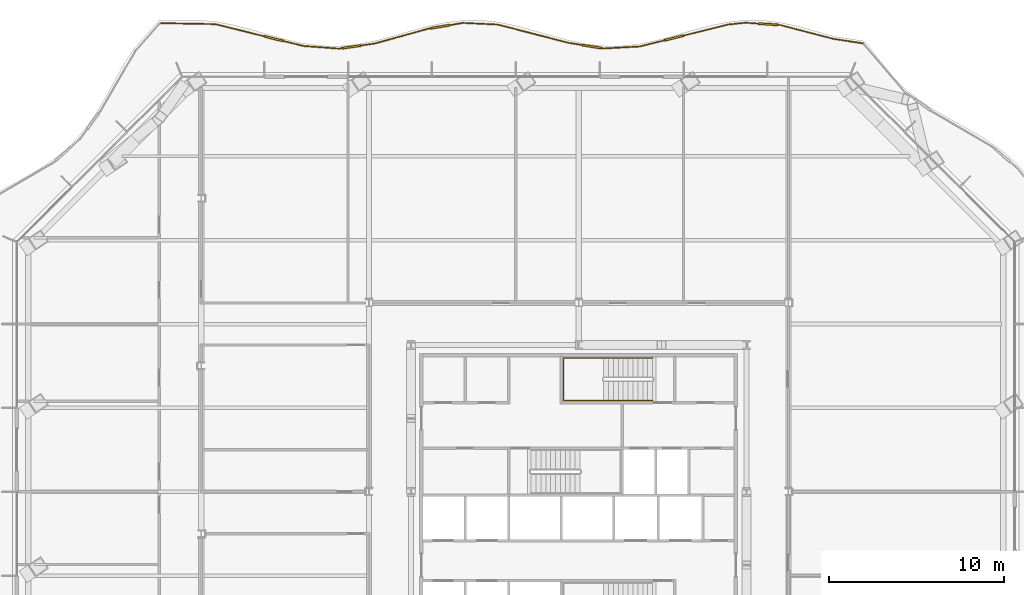
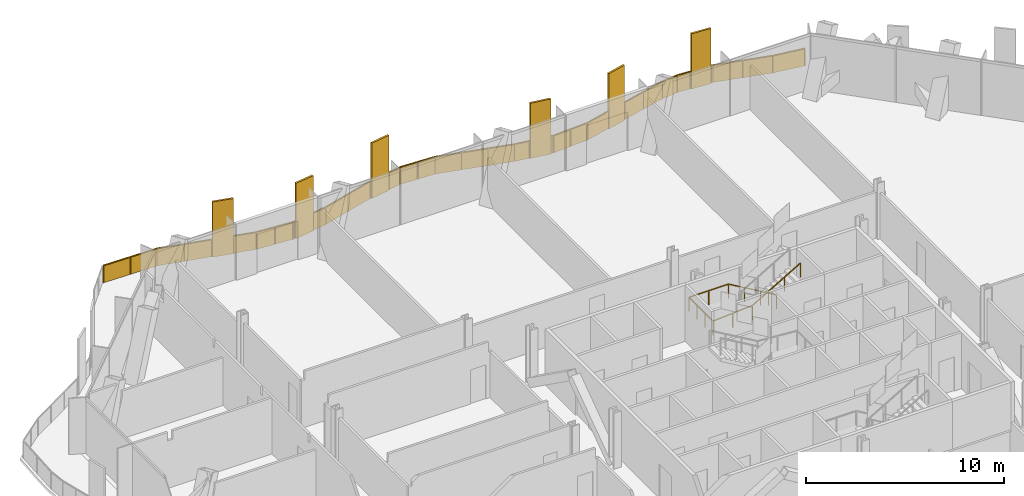
# One storey, part 19 of 20: 2 railings.
"""IFC4 building model written with IfcOpenShell, lengths in metres."""

from ifc_helpers import new_model, si_unit, direction, frame, origin, origin_2d, place, context, subcontext, project, spatial, polyline, rectangle, outline, extrude, material, type_object, element, save


model = new_model("IFC4")

# Units and contexts
model_context = context("Model", 3, precision=1e-05, world=origin(), true_north=direction((0.0, 1.0)))
body_context = subcontext(model_context, "Body", "Model", "MODEL_VIEW")
ifc_project = project(units=[si_unit("LENGTHUNIT", "METRE"), si_unit("AREAUNIT", "SQUARE_METRE"), si_unit("VOLUMEUNIT", "CUBIC_METRE"), si_unit("PLANEANGLEUNIT", "RADIAN"), si_unit("MASSUNIT", "GRAM", prefix="KILO")], contexts=[model_context])

# Site, building, storey
site_placement = place(None, origin())
site = spatial("IfcSite", under=ifc_project, at=site_placement, CompositionType="ELEMENT")
building_placement = place(site_placement, origin())
building = spatial("IfcBuilding", under=site, at=building_placement, Name="Cairn Pilgrim Tower", CompositionType="ELEMENT")
storey_placement = place(building_placement, frame((0.0, 0.0, 101.39990234375)))
storey = spatial("IfcBuildingStorey", under=building, at=storey_placement, Name="L24", CompositionType="ELEMENT", Elevation=101.39990234375)

# Railings
ifc_material_1 = material(Name="Bronze anodised aluminium rail, posts and fin screens with laminated glass infill", Category="aluminium")
railing_type_1 = type_object("IfcRailingType", Name="BALCONY GUARD WITH FIN SCREENS", PredefinedType="GUARDRAIL", material=ifc_material_1)
railing_1_placement = place(storey_placement, frame((23.46728515625, 28.05810546875, 0.0)))
element("IfcRailing", 1, at=railing_1_placement, inside=storey, type_object=railing_type_1, Name="Balcony guard BGF-5 with fin screens", PredefinedType="GUARDRAIL", context=body_context, shape_type="SweptSolid", body=[
    extrude(rectangle(XDim=0.050048828125, YDim=0.050048828125, at=origin_2d()), frame((0.0, 0.0, 1.0751953125), z_axis=(-0.988673602471, 0.150081670358, 0.0), x_axis=(-0.150081670358, -0.988673602471, 0.0)), (0.0, 0.0, 1.0), 1.7275390625),
    extrude(rectangle(XDim=0.050048828125, YDim=0.050048828125, at=origin_2d()), frame((-1.7080078125, 0.25927734375, 1.0751953125), z_axis=(-0.967573311551, 0.252590353685, 0.0), x_axis=(-0.252590353685, -0.967573311551, 0.0)), (0.0, 0.0, 1.0), 3.126708984375),
    extrude(rectangle(XDim=1.10009765625, YDim=0.110107421875, at=origin_2d()), frame((-5.431884765625, 1.095458984375, 0.0), z_axis=(0.0, 0.0, 1.0), x_axis=(-0.99780618596, 0.066202834226, 0.0)), (0.0, 0.0, 1.0), 3.39990234375),
    extrude(rectangle(XDim=0.050048828125, YDim=0.050048828125, at=origin_2d()), frame((-4.7333984375, 1.049072265625, 1.0751953125), z_axis=(-0.99780618596, 0.066202834226, 0.0), x_axis=(-0.066202834226, -0.99780618596, 0.0)), (0.0, 0.0, 1.0), 0.150146484375),
    extrude(rectangle(XDim=0.050048828125, YDim=0.050048828125, at=origin_2d()), frame((-5.980712890625, 1.1318359375, 1.0751953125), z_axis=(-0.99780618596, 0.066202834226, 0.0), x_axis=(-0.066202834226, -0.99780618596, 0.0)), (0.0, 0.0, 1.0), 0.748779296875),
    extrude(rectangle(XDim=0.050048828125, YDim=0.050048828125, at=origin_2d()), frame((-6.727783203125, 1.181396484375, 1.0751953125), z_axis=(-0.994675287043, -0.103058591808, 0.0), x_axis=(0.103058591808, -0.994675287043, 0.0)), (0.0, 0.0, 1.0), 0.99267578125),
    extrude(rectangle(XDim=1.10009765625, YDim=0.110107421875, at=origin_2d()), frame((-10.81787109375, 0.30810546875, 0.0), z_axis=(0.0, 0.0, 1.0), x_axis=(-0.970486101988, -0.241157056392, 0.0)), (0.0, 0.0, 1.0), 3.39990234375),
    extrude(rectangle(XDim=0.050048828125, YDim=0.050048828125, at=origin_2d()), frame((-7.715087890625, 1.0791015625, 1.0751953125), z_axis=(-0.970486101988, -0.241157056392, 0.0), x_axis=(0.241157056392, -0.970486101988, 0.0)), (0.0, 0.0, 1.0), 2.647216796875),
    extrude(rectangle(XDim=0.050048828125, YDim=0.050048828125, at=origin_2d()), frame((-11.3515625, 0.175537109375, 1.0751953125), z_axis=(-0.970486101988, -0.241157056392, 0.0), x_axis=(0.241157056392, -0.970486101988, 0.0)), (0.0, 0.0, 1.0), 1.46240234375),
    extrude(rectangle(XDim=0.050048828125, YDim=0.050048828125, at=origin_2d()), frame((-12.77099609375, -0.17724609375, 1.0751953125), z_axis=(-0.99837210781, -0.057036254671, 0.0), x_axis=(0.057036254671, -0.99837210781, 0.0)), (0.0, 0.0, 1.0), 2.0546875),
    extrude(rectangle(XDim=1.10009765625, YDim=0.110107421875, at=origin_2d()), frame((-15.513427734375, -0.18359375, 0.0), z_axis=(0.0, 0.0, 1.0), x_axis=(-0.987379480375, 0.158372225265, 0.0)), (0.0, 0.0, 1.0), 3.39990234375),
    extrude(rectangle(XDim=0.050048828125, YDim=0.050048828125, at=origin_2d()), frame((-14.822265625, -0.29443359375, 1.0751953125), z_axis=(-0.987379480375, 0.158372225265, 0.0), x_axis=(-0.158372225265, -0.987379480375, 0.0)), (0.0, 0.0, 1.0), 0.14990234375),
    extrude(rectangle(XDim=0.050048828125, YDim=0.050048828125, at=origin_2d()), frame((-16.056396484375, -0.096435546875, 1.0751953125), z_axis=(-0.987379480375, 0.158372225265, 0.0), x_axis=(-0.158372225265, -0.987379480375, 0.0)), (0.0, 0.0, 1.0), 0.8203125),
    extrude(rectangle(XDim=0.050048828125, YDim=0.050048828125, at=origin_2d()), frame((-16.866455078125, 0.033447265625, 1.0751953125), z_axis=(-0.968149605348, 0.250372405958, 0.0), x_axis=(-0.250372405958, -0.968149605348, 0.0)), (0.0, 0.0, 1.0), 4.166748046875),
    extrude(rectangle(XDim=0.050048828125, YDim=0.050048828125, at=origin_2d()), frame((-20.900390625, 1.07666015625, 1.0751953125), z_axis=(-0.99886258456, 0.047681622947, 0.0), x_axis=(-0.047681622947, -0.99886258456, 0.0)), (0.0, 0.0, 1.0), 1.99169921875),
    extrude(rectangle(XDim=1.10009765625, YDim=0.110107421875, at=origin_2d()), frame((-24.197021484375, 0.951904296875, 0.0), z_axis=(0.0, 0.0, 1.0), x_axis=(-0.986151809504, -0.165845134426, 0.0)), (0.0, 0.0, 1.0), 3.39990234375),
    extrude(rectangle(XDim=0.050048828125, YDim=0.050048828125, at=origin_2d()), frame((-22.889892578125, 1.171630859375, 1.0751953125), z_axis=(-0.986151809504, -0.165845134426, 0.0), x_axis=(0.165845134426, -0.986151809504, 0.0)), (0.0, 0.0, 1.0), 0.775390625),
    extrude(rectangle(XDim=0.050048828125, YDim=0.050048828125, at=origin_2d()), frame((-24.7392578125, 0.860595703125, 1.0751953125), z_axis=(-0.986151809504, -0.165845134426, 0.0), x_axis=(0.165845134426, -0.986151809504, 0.0)), (0.0, 0.0, 1.0), 0.150146484375),
    extrude(rectangle(XDim=0.050048828125, YDim=0.050048828125, at=origin_2d()), frame((-24.887451171875, 0.835693359375, 1.0751953125), z_axis=(-0.963679976665, -0.267059735967, 0.0), x_axis=(0.267059735967, -0.963679976665, 0.0)), (0.0, 0.0, 1.0), 3.1474609375),
    extrude(rectangle(XDim=1.10009765625, YDim=0.110107421875, at=origin_2d()), frame((-29.2744140625, -0.20166015625, 0.0), z_axis=(0.0, 0.0, 1.0), x_axis=(-0.989609050988, -0.143784304438, 0.0)), (0.0, 0.0, 1.0), 3.39990234375),
    extrude(rectangle(XDim=0.050048828125, YDim=0.050048828125, at=origin_2d()), frame((-27.920654296875, -0.0048828125, 1.0751953125), z_axis=(-0.989609050988, -0.143784304438, 0.0), x_axis=(0.143784304438, -0.989609050988, 0.0)), (0.0, 0.0, 1.0), 0.81787109375),
    extrude(rectangle(XDim=0.050048828125, YDim=0.050048828125, at=origin_2d()), frame((-29.818603515625, -0.28076171875, 1.0751953125), z_axis=(-0.989609050988, -0.143784304438, 0.0), x_axis=(0.143784304438, -0.989609050988, 0.0)), (0.0, 0.0, 1.0), 0.150146484375),
    extrude(rectangle(XDim=0.050048828125, YDim=0.050048828125, at=origin_2d()), frame((-29.96728515625, -0.30224609375, 1.0751953125), z_axis=(-0.997232646248, 0.074344127254, 0.0), x_axis=(-0.074344127254, -0.997232646248, 0.0)), (0.0, 0.0, 1.0), 2.0556640625),
    extrude(rectangle(XDim=1.10009765625, YDim=0.110107421875, at=origin_2d()), frame((-33.7265625, 0.27392578125, 0.0), z_axis=(0.0, 0.0, 1.0), x_axis=(-0.970667588776, 0.24042552298, 0.0)), (0.0, 0.0, 1.0), 3.39990234375),
    extrude(rectangle(XDim=0.050048828125, YDim=0.050048828125, at=origin_2d()), frame((-32.017333984375, -0.1494140625, 1.0751953125), z_axis=(-0.970667588776, 0.24042552298, 0.0), x_axis=(-0.24042552298, -0.970667588776, 0.0)), (0.0, 0.0, 1.0), 1.2109375),
    extrude(rectangle(XDim=0.050048828125, YDim=0.050048828125, at=origin_2d()), frame((-34.260498046875, 0.40625, 1.0751953125), z_axis=(-0.970667588776, 0.24042552298, 0.0), x_axis=(-0.24042552298, -0.970667588776, 0.0)), (0.0, 0.0, 1.0), 2.890380859375),
    extrude(rectangle(XDim=0.050048828125, YDim=0.050048828125, at=origin_2d()), frame((-37.06591796875, 1.10107421875, 1.0751953125), z_axis=(-0.999837829857, 0.018008719761, 0.0), x_axis=(-0.018008719761, -0.999837829857, 0.0)), (0.0, 0.0, 1.0), 3.1044921875),
    extrude(rectangle(XDim=0.050048828125, YDim=0.050048828125, at=origin_2d()), origin(), (0.0, 0.0, 1.0), 1.050048828125),
    extrude(rectangle(XDim=0.050048828125, YDim=0.050048828125, at=origin_2d()), frame((-1.7080078125, 0.25927734375, 0.0)), (0.0, 0.0, 1.0), 1.050048828125),
    extrude(rectangle(XDim=0.050048828125, YDim=0.050048828125, at=origin_2d()), frame((-3.220703125, 0.654296875, 0.0)), (0.0, 0.0, 1.0), 1.050048828125),
    extrude(rectangle(XDim=0.050048828125, YDim=0.050048828125, at=origin_2d()), frame((-4.7333984375, 1.049072265625, 0.0)), (0.0, 0.0, 1.0), 1.050048828125),
    extrude(rectangle(XDim=0.050048828125, YDim=0.050048828125, at=origin_2d()), frame((-4.858154296875, 1.057373046875, 0.0)), (0.0, 0.0, 1.0), 1.050048828125),
    extrude(rectangle(XDim=0.050048828125, YDim=0.050048828125, at=origin_2d()), frame((-6.005615234375, 1.133544921875, 0.0)), (0.0, 0.0, 1.0), 1.050048828125),
    extrude(rectangle(XDim=0.050048828125, YDim=0.050048828125, at=origin_2d()), frame((-6.727783203125, 1.181396484375, 0.0)), (0.0, 0.0, 1.0), 1.050048828125),
    extrude(rectangle(XDim=0.050048828125, YDim=0.050048828125, at=origin_2d()), frame((-7.715087890625, 1.0791015625, 0.0)), (0.0, 0.0, 1.0), 1.050048828125),
    extrude(rectangle(XDim=0.050048828125, YDim=0.050048828125, at=origin_2d()), frame((-8.987548828125, 0.762939453125, 0.0)), (0.0, 0.0, 1.0), 1.050048828125),
    extrude(rectangle(XDim=0.050048828125, YDim=0.050048828125, at=origin_2d()), frame((-10.259765625, 0.44677734375, 0.0)), (0.0, 0.0, 1.0), 1.050048828125),
    extrude(rectangle(XDim=0.050048828125, YDim=0.050048828125, at=origin_2d()), frame((-11.3759765625, 0.16943359375, 0.0)), (0.0, 0.0, 1.0), 1.050048828125),
    extrude(rectangle(XDim=0.050048828125, YDim=0.050048828125, at=origin_2d()), frame((-12.77099609375, -0.17724609375, 0.0)), (0.0, 0.0, 1.0), 1.050048828125),
    extrude(rectangle(XDim=0.050048828125, YDim=0.050048828125, at=origin_2d()), frame((-13.796630859375, -0.23583984375, 0.0)), (0.0, 0.0, 1.0), 1.050048828125),
    extrude(rectangle(XDim=0.050048828125, YDim=0.050048828125, at=origin_2d()), frame((-14.822265625, -0.29443359375, 0.0)), (0.0, 0.0, 1.0), 1.050048828125),
    extrude(rectangle(XDim=0.050048828125, YDim=0.050048828125, at=origin_2d()), frame((-14.945556640625, -0.274658203125, 0.0)), (0.0, 0.0, 1.0), 1.050048828125),
    extrude(rectangle(XDim=0.050048828125, YDim=0.050048828125, at=origin_2d()), frame((-16.081298828125, -0.092529296875, 0.0)), (0.0, 0.0, 1.0), 1.050048828125),
    extrude(rectangle(XDim=0.050048828125, YDim=0.050048828125, at=origin_2d()), frame((-16.866455078125, 0.033447265625, 0.0)), (0.0, 0.0, 1.0), 1.050048828125),
    extrude(rectangle(XDim=0.050048828125, YDim=0.050048828125, at=origin_2d()), frame((-18.211181640625, 0.381103515625, 0.0)), (0.0, 0.0, 1.0), 1.050048828125),
    extrude(rectangle(XDim=0.050048828125, YDim=0.050048828125, at=origin_2d()), frame((-19.5556640625, 0.72900390625, 0.0)), (0.0, 0.0, 1.0), 1.050048828125),
    extrude(rectangle(XDim=0.050048828125, YDim=0.050048828125, at=origin_2d()), frame((-20.900390625, 1.07666015625, 0.0)), (0.0, 0.0, 1.0), 1.050048828125),
    extrude(rectangle(XDim=0.050048828125, YDim=0.050048828125, at=origin_2d()), frame((-21.89501953125, 1.1240234375, 0.0)), (0.0, 0.0, 1.0), 1.050048828125),
    extrude(rectangle(XDim=0.050048828125, YDim=0.050048828125, at=origin_2d()), frame((-22.889892578125, 1.171630859375, 0.0)), (0.0, 0.0, 1.0), 1.050048828125),
    extrude(rectangle(XDim=0.050048828125, YDim=0.050048828125, at=origin_2d()), frame((-23.6298828125, 1.047119140625, 0.0)), (0.0, 0.0, 1.0), 1.050048828125),
    extrude(rectangle(XDim=0.050048828125, YDim=0.050048828125, at=origin_2d()), frame((-24.763916015625, 0.8564453125, 0.0)), (0.0, 0.0, 1.0), 1.050048828125),
    extrude(rectangle(XDim=0.050048828125, YDim=0.050048828125, at=origin_2d()), frame((-24.887451171875, 0.835693359375, 0.0)), (0.0, 0.0, 1.0), 1.050048828125),
    extrude(rectangle(XDim=0.050048828125, YDim=0.050048828125, at=origin_2d()), frame((-26.404052734375, 0.41552734375, 0.0)), (0.0, 0.0, 1.0), 1.050048828125),
    extrude(rectangle(XDim=0.050048828125, YDim=0.050048828125, at=origin_2d()), frame((-27.920654296875, -0.0048828125, 0.0)), (0.0, 0.0, 1.0), 1.050048828125),
    extrude(rectangle(XDim=0.050048828125, YDim=0.050048828125, at=origin_2d()), frame((-28.705322265625, -0.118896484375, 0.0)), (0.0, 0.0, 1.0), 1.050048828125),
    extrude(rectangle(XDim=0.050048828125, YDim=0.050048828125, at=origin_2d()), frame((-29.843505859375, -0.2841796875, 0.0)), (0.0, 0.0, 1.0), 1.050048828125),
    extrude(rectangle(XDim=0.050048828125, YDim=0.050048828125, at=origin_2d()), frame((-29.96728515625, -0.30224609375, 0.0)), (0.0, 0.0, 1.0), 1.050048828125),
    extrude(rectangle(XDim=0.050048828125, YDim=0.050048828125, at=origin_2d()), frame((-30.9921875, -0.225830078125, 0.0)), (0.0, 0.0, 1.0), 1.050048828125),
    extrude(rectangle(XDim=0.050048828125, YDim=0.050048828125, at=origin_2d()), frame((-32.017333984375, -0.1494140625, 0.0)), (0.0, 0.0, 1.0), 1.050048828125),
    extrude(rectangle(XDim=0.050048828125, YDim=0.050048828125, at=origin_2d()), frame((-33.16845703125, 0.1357421875, 0.0)), (0.0, 0.0, 1.0), 1.050048828125),
    extrude(rectangle(XDim=0.050048828125, YDim=0.050048828125, at=origin_2d()), frame((-34.28466796875, 0.412109375, 0.0)), (0.0, 0.0, 1.0), 1.050048828125),
    extrude(rectangle(XDim=0.050048828125, YDim=0.050048828125, at=origin_2d()), frame((-35.67529296875, 0.756591796875, 0.0)), (0.0, 0.0, 1.0), 1.050048828125),
    extrude(rectangle(XDim=0.050048828125, YDim=0.050048828125, at=origin_2d()), frame((-37.06591796875, 1.10107421875, 0.0)), (0.0, 0.0, 1.0), 1.050048828125),
    extrude(rectangle(XDim=0.050048828125, YDim=0.050048828125, at=origin_2d()), frame((-38.617919921875, 1.12890625, 0.0)), (0.0, 0.0, 1.0), 1.050048828125),
    extrude(rectangle(XDim=0.050048828125, YDim=0.050048828125, at=origin_2d()), frame((-40.169921875, 1.156982421875, 0.0)), (0.0, 0.0, 1.0), 1.050048828125),
    extrude(outline(polyline([(0.02490234375, 0.0), (1.70263671875, 0.0), (1.70263671875, 1.050048828125), (0.02490234375, 1.050048828125), (0.02490234375, 0.0)])), frame((-0.0009765625, -0.005859375, 0.0), z_axis=(0.150081670358, 0.988673602471, 0.0), x_axis=(-0.988673602471, 0.150081670358, 0.0)), (0.0, 0.0, 1.0), 0.011962890625),
    extrude(outline(polyline([(0.02490234375, 0.0), (1.538330078125, 0.0), (1.538330078125, 1.050048828125), (0.02490234375, 1.050048828125), (0.02490234375, 0.0)])), frame((-1.70947265625, 0.25341796875, 0.0), z_axis=(0.252590353685, 0.967573311551, 0.0), x_axis=(-0.967573311551, 0.252590353685, 0.0)), (0.0, 0.0, 1.0), 0.011962890625),
    extrude(outline(polyline([(0.02490234375, 0.0), (1.538330078125, 0.0), (1.538330078125, 1.050048828125), (0.02490234375, 1.050048828125), (0.02490234375, 0.0)])), frame((-3.22216796875, 0.6484375, 0.0), z_axis=(0.252590353685, 0.967573311551, 0.0), x_axis=(-0.967573311551, 0.252590353685, 0.0)), (0.0, 0.0, 1.0), 0.011962890625),
    extrude(outline(polyline([(0.02490234375, 0.0), (0.10009765625, 0.0), (0.10009765625, 1.050048828125), (0.02490234375, 1.050048828125), (0.02490234375, 0.0)])), frame((-4.73388671875, 1.043212890625, 0.0), z_axis=(0.066202834226, 0.99780618596, 0.0), x_axis=(-0.99780618596, 0.066202834226, 0.0)), (0.0, 0.0, 1.0), 0.011962890625),
    extrude(outline(polyline([(0.02490234375, 0.0), (0.69873046875, 0.0), (0.69873046875, 1.050048828125), (0.02490234375, 1.050048828125), (0.02490234375, 0.0)])), frame((-6.006103515625, 1.12744140625, 0.0), z_axis=(0.066202834226, 0.99780618596, 0.0), x_axis=(-0.99780618596, 0.066202834226, 0.0)), (0.0, 0.0, 1.0), 0.011962890625),
    extrude(outline(polyline([(0.02490234375, 0.0), (0.967529296875, 0.0), (0.967529296875, 1.050048828125), (0.02490234375, 1.050048828125), (0.02490234375, 0.0)])), frame((-6.72705078125, 1.175537109375, 0.0), z_axis=(-0.103058591808, 0.994675287043, 0.0), x_axis=(-0.994675287043, -0.103058591808, 0.0)), (0.0, 0.0, 1.0), 0.011962890625),
    extrude(outline(polyline([(0.02490234375, 0.0), (1.2861328125, 0.0), (1.2861328125, 1.050048828125), (0.02490234375, 1.050048828125), (0.02490234375, 0.0)])), frame((-7.713623046875, 1.0732421875, 0.0), z_axis=(-0.241157056392, 0.970486101988, 0.0), x_axis=(-0.970486101988, -0.241157056392, 0.0)), (0.0, 0.0, 1.0), 0.011962890625),
    extrude(outline(polyline([(0.02490234375, 0.0), (1.2861328125, 0.0), (1.2861328125, 1.050048828125), (0.02490234375, 1.050048828125), (0.02490234375, 0.0)])), frame((-8.986083984375, 0.757080078125, 0.0), z_axis=(-0.241157056392, 0.970486101988, 0.0), x_axis=(-0.970486101988, -0.241157056392, 0.0)), (0.0, 0.0, 1.0), 0.011962890625),
    extrude(outline(polyline([(0.02490234375, 0.0), (1.412353515625, 0.0), (1.412353515625, 1.050048828125), (0.02490234375, 1.050048828125), (0.02490234375, 0.0)])), frame((-11.37451171875, 0.16357421875, 0.0), z_axis=(-0.241157056392, 0.970486101988, 0.0), x_axis=(-0.970486101988, -0.241157056392, 0.0)), (0.0, 0.0, 1.0), 0.011962890625),
    extrude(outline(polyline([(0.02490234375, 0.0), (1.002197265625, 0.0), (1.002197265625, 1.050048828125), (0.02490234375, 1.050048828125), (0.02490234375, 0.0)])), frame((-12.770751953125, -0.18310546875, 0.0), z_axis=(-0.057036254671, 0.99837210781, 0.0), x_axis=(-0.99837210781, -0.057036254671, 0.0)), (0.0, 0.0, 1.0), 0.011962890625),
    extrude(outline(polyline([(0.02490234375, 0.0), (1.002197265625, 0.0), (1.002197265625, 1.050048828125), (0.02490234375, 1.050048828125), (0.02490234375, 0.0)])), frame((-13.79638671875, -0.24169921875, 0.0), z_axis=(-0.057036254671, 0.99837210781, 0.0), x_axis=(-0.99837210781, -0.057036254671, 0.0)), (0.0, 0.0, 1.0), 0.011962890625),
    extrude(outline(polyline([(0.02490234375, 0.0), (0.099853515625, 0.0), (0.099853515625, 1.050048828125), (0.02490234375, 1.050048828125), (0.02490234375, 0.0)])), frame((-14.8232421875, -0.30029296875, 0.0), z_axis=(0.158372225265, 0.987379480375, 0.0), x_axis=(-0.987379480375, 0.158372225265, 0.0)), (0.0, 0.0, 1.0), 0.011962890625),
    extrude(outline(polyline([(0.02490234375, 0.0), (0.770263671875, 0.0), (0.770263671875, 1.050048828125), (0.02490234375, 1.050048828125), (0.02490234375, 0.0)])), frame((-16.08203125, -0.098388671875, 0.0), z_axis=(0.158372225265, 0.987379480375, 0.0), x_axis=(-0.987379480375, 0.158372225265, 0.0)), (0.0, 0.0, 1.0), 0.011962890625),
    extrude(outline(polyline([(0.02490234375, 0.0), (1.36376953125, 0.0), (1.36376953125, 1.050048828125), (0.02490234375, 1.050048828125), (0.02490234375, 0.0)])), frame((-16.867919921875, 0.027587890625, 0.0), z_axis=(0.250372405958, 0.968149605348, 0.0), x_axis=(-0.968149605348, 0.250372405958, 0.0)), (0.0, 0.0, 1.0), 0.011962890625),
    extrude(outline(polyline([(0.02490234375, 0.0), (1.36376953125, 0.0), (1.36376953125, 1.050048828125), (0.02490234375, 1.050048828125), (0.02490234375, 0.0)])), frame((-18.212646484375, 0.37548828125, 0.0), z_axis=(0.250372405958, 0.968149605348, 0.0), x_axis=(-0.968149605348, 0.250372405958, 0.0)), (0.0, 0.0, 1.0), 0.011962890625),
    extrude(outline(polyline([(0.02490234375, 0.0), (1.36376953125, 0.0), (1.36376953125, 1.050048828125), (0.02490234375, 1.050048828125), (0.02490234375, 0.0)])), frame((-19.55712890625, 0.72314453125, 0.0), z_axis=(0.250372405958, 0.968149605348, 0.0), x_axis=(-0.968149605348, 0.250372405958, 0.0)), (0.0, 0.0, 1.0), 0.011962890625),
    extrude(outline(polyline([(0.02490234375, 0.0), (0.970947265625, 0.0), (0.970947265625, 1.050048828125), (0.02490234375, 1.050048828125), (0.02490234375, 0.0)])), frame((-20.900634765625, 1.07080078125, 0.0), z_axis=(0.047681622947, 0.99886258456, 0.0), x_axis=(-0.99886258456, 0.047681622947, 0.0)), (0.0, 0.0, 1.0), 0.011962890625),
    extrude(outline(polyline([(0.02490234375, 0.0), (0.970947265625, 0.0), (0.970947265625, 1.050048828125), (0.02490234375, 1.050048828125), (0.02490234375, 0.0)])), frame((-21.8955078125, 1.1181640625, 0.0), z_axis=(0.047681622947, 0.99886258456, 0.0), x_axis=(-0.99886258456, 0.047681622947, 0.0)), (0.0, 0.0, 1.0), 0.011962890625),
    extrude(outline(polyline([(0.02490234375, 0.0), (0.725341796875, 0.0), (0.725341796875, 1.050048828125), (0.02490234375, 1.050048828125), (0.02490234375, 0.0)])), frame((-22.888916015625, 1.165771484375, 0.0), z_axis=(-0.165845134426, 0.986151809504, 0.0), x_axis=(-0.986151809504, -0.165845134426, 0.0)), (0.0, 0.0, 1.0), 0.011962890625),
    extrude(outline(polyline([(0.02490234375, 0.0), (0.10009765625, 0.0), (0.10009765625, 1.050048828125), (0.02490234375, 1.050048828125), (0.02490234375, 0.0)])), frame((-24.762939453125, 0.8505859375, 0.0), z_axis=(-0.165845134426, 0.986151809504, 0.0), x_axis=(-0.986151809504, -0.165845134426, 0.0)), (0.0, 0.0, 1.0), 0.011962890625),
    extrude(outline(polyline([(0.02490234375, 0.0), (1.548828125, 0.0), (1.548828125, 1.050048828125), (0.02490234375, 1.050048828125), (0.02490234375, 0.0)])), frame((-24.8857421875, 0.829833984375, 0.0), z_axis=(-0.267059735967, 0.963679976665, 0.0), x_axis=(-0.963679976665, -0.267059735967, 0.0)), (0.0, 0.0, 1.0), 0.011962890625),
    extrude(outline(polyline([(0.02490234375, 0.0), (1.548828125, 0.0), (1.548828125, 1.050048828125), (0.02490234375, 1.050048828125), (0.02490234375, 0.0)])), frame((-26.40234375, 0.40966796875, 0.0), z_axis=(-0.267059735967, 0.963679976665, 0.0), x_axis=(-0.963679976665, -0.267059735967, 0.0)), (0.0, 0.0, 1.0), 0.011962890625),
    extrude(outline(polyline([(0.02490234375, 0.0), (0.767822265625, 0.0), (0.767822265625, 1.050048828125), (0.02490234375, 1.050048828125), (0.02490234375, 0.0)])), frame((-27.919677734375, -0.0107421875, 0.0), z_axis=(-0.143784304438, 0.989609050988, 0.0), x_axis=(-0.989609050988, -0.143784304438, 0.0)), (0.0, 0.0, 1.0), 0.011962890625),
    extrude(outline(polyline([(0.02490234375, 0.0), (0.10009765625, 0.0), (0.10009765625, 1.050048828125), (0.02490234375, 1.050048828125), (0.02490234375, 0.0)])), frame((-29.842529296875, -0.290283203125, 0.0), z_axis=(-0.143784304438, 0.989609050988, 0.0), x_axis=(-0.989609050988, -0.143784304438, 0.0)), (0.0, 0.0, 1.0), 0.011962890625),
    extrude(outline(polyline([(0.02490234375, 0.0), (1.0029296875, 0.0), (1.0029296875, 1.050048828125), (0.02490234375, 1.050048828125), (0.02490234375, 0.0)])), frame((-29.9677734375, -0.30810546875, 0.0), z_axis=(0.074344127254, 0.997232646248, 0.0), x_axis=(-0.997232646248, 0.074344127254, 0.0)), (0.0, 0.0, 1.0), 0.011962890625),
    extrude(outline(polyline([(0.02490234375, 0.0), (1.0029296875, 0.0), (1.0029296875, 1.050048828125), (0.02490234375, 1.050048828125), (0.02490234375, 0.0)])), frame((-30.99267578125, -0.231689453125, 0.0), z_axis=(0.074344127254, 0.997232646248, 0.0), x_axis=(-0.997232646248, 0.074344127254, 0.0)), (0.0, 0.0, 1.0), 0.011962890625),
    extrude(outline(polyline([(0.02490234375, 0.0), (1.160888671875, 0.0), (1.160888671875, 1.050048828125), (0.02490234375, 1.050048828125), (0.02490234375, 0.0)])), frame((-32.018798828125, -0.1552734375, 0.0), z_axis=(0.24042552298, 0.970667588776, 0.0), x_axis=(-0.970667588776, 0.24042552298, 0.0)), (0.0, 0.0, 1.0), 0.011962890625),
    extrude(outline(polyline([(0.02490234375, 0.0), (1.40771484375, 0.0), (1.40771484375, 1.050048828125), (0.02490234375, 1.050048828125), (0.02490234375, 0.0)])), frame((-34.2861328125, 0.406494140625, 0.0), z_axis=(0.24042552298, 0.970667588776, 0.0), x_axis=(-0.970667588776, 0.24042552298, 0.0)), (0.0, 0.0, 1.0), 0.011962890625),
    extrude(outline(polyline([(0.02490234375, 0.0), (1.40771484375, 0.0), (1.40771484375, 1.050048828125), (0.02490234375, 1.050048828125), (0.02490234375, 0.0)])), frame((-35.6767578125, 0.750732421875, 0.0), z_axis=(0.24042552298, 0.970667588776, 0.0), x_axis=(-0.970667588776, 0.24042552298, 0.0)), (0.0, 0.0, 1.0), 0.011962890625),
    extrude(outline(polyline([(0.02490234375, 0.0), (1.52734375, 0.0), (1.52734375, 1.050048828125), (0.02490234375, 1.050048828125), (0.02490234375, 0.0)])), frame((-37.06591796875, 1.09521484375, 0.0), z_axis=(0.018008719761, 0.999837829857, 0.0), x_axis=(-0.999837829857, 0.018008719761, 0.0)), (0.0, 0.0, 1.0), 0.011962890625),
    extrude(outline(polyline([(0.02490234375, 0.0), (1.52734375, 0.0), (1.52734375, 1.050048828125), (0.02490234375, 1.050048828125), (0.02490234375, 0.0)])), frame((-38.617919921875, 1.123046875, 0.0), z_axis=(0.018008719761, 0.999837829857, 0.0), x_axis=(-0.999837829857, 0.018008719761, 0.0)), (0.0, 0.0, 1.0), 0.011962890625),
])
ifc_material_2 = material(Name="Painted steel", Category="steel")
railing_type_2 = type_object("IfcRailingType", Name="STAIR HANDRAIL 900", PredefinedType="HANDRAIL", material=ifc_material_2)
railing_2_placement = place(storey_placement, frame((11.425048828125, 10.050048828125, 0.163818359375)))
element("IfcRailing", 2, at=railing_2_placement, inside=storey, type_object=railing_type_2, Name="L24 ST-C stair handrail 1", PredefinedType="HANDRAIL", context=body_context, shape_type="SweptSolid", body=[
    extrude(rectangle(XDim=0.048095703125, YDim=0.048095703125, at=origin_2d()), frame((0.0, 0.0, 0.8759765625), z_axis=(-0.863393664356, 0.0, 0.504530851732), x_axis=(0.0, -1.0, 0.0)), (0.0, 0.0, 1.0), 3.2431640625),
    extrude(rectangle(XDim=0.048095703125, YDim=0.048095703125, at=origin_2d()), frame((-2.800048828125, 0.0, 2.51220703125), z_axis=(-1.0, 0.0, 0.0), x_axis=(0.0, -1.0, 0.0)), (0.0, 0.0, 1.0), 2.300048828125),
    extrude(rectangle(XDim=0.048095703125, YDim=0.048095703125, at=origin_2d()), frame((-5.10009765625, 0.0, 2.51220703125), z_axis=(0.0, -1.0, 0.0), x_axis=(1.0, 0.0, 0.0)), (0.0, 0.0, 1.0), 2.425048828125),
    extrude(rectangle(XDim=0.048095703125, YDim=0.048095703125, at=origin_2d()), frame((-5.10009765625, -2.425048828125, 2.51220703125), z_axis=(0.997480687736, 0.0, 0.070938548008), x_axis=(0.0, 1.0, 0.0)), (0.0, 0.0, 1.0), 2.305908203125),
    extrude(rectangle(XDim=0.048095703125, YDim=0.048095703125, at=origin_2d()), frame((-2.800048828125, -2.425048828125, 2.67578125), z_axis=(0.863360870873, 0.0, 0.504586966384), x_axis=(0.0, 1.0, 0.0)), (0.0, 0.0, 1.0), 3.2431640625),
    extrude(rectangle(XDim=0.0419921875, YDim=0.0419921875, at=origin_2d()), origin(), (0.0, 0.0, 1.0), 0.851806640625),
    extrude(rectangle(XDim=0.0419921875, YDim=0.0419921875, at=origin_2d()), frame((-0.933349609375, 0.0, 0.54541015625)), (0.0, 0.0, 1.0), 0.851806640625),
    extrude(rectangle(XDim=0.0419921875, YDim=0.0419921875, at=origin_2d()), frame((-1.86669921875, 0.0, 1.0908203125)), (0.0, 0.0, 1.0), 0.851806640625),
    extrude(rectangle(XDim=0.0419921875, YDim=0.0419921875, at=origin_2d()), frame((-2.800048828125, 0.0, 1.63623046875)), (0.0, 0.0, 1.0), 0.851806640625),
    extrude(rectangle(XDim=0.0419921875, YDim=0.0419921875, at=origin_2d()), frame((-3.9501953125, 0.0, 1.63623046875)), (0.0, 0.0, 1.0), 0.851806640625),
    extrude(rectangle(XDim=0.0419921875, YDim=0.0419921875, at=origin_2d()), frame((-5.10009765625, 0.0, 1.63623046875)), (0.0, 0.0, 1.0), 0.851806640625),
    extrude(rectangle(XDim=0.0419921875, YDim=0.0419921875, at=origin_2d()), frame((-5.10009765625, -0.808349609375, 1.63623046875)), (0.0, 0.0, 1.0), 0.851806640625),
    extrude(rectangle(XDim=0.0419921875, YDim=0.0419921875, at=origin_2d()), frame((-5.10009765625, -1.61669921875, 1.63623046875)), (0.0, 0.0, 1.0), 0.851806640625),
    extrude(rectangle(XDim=0.0419921875, YDim=0.0419921875, at=origin_2d()), frame((-5.10009765625, -2.425048828125, 1.63623046875)), (0.0, 0.0, 1.0), 0.851806640625),
    extrude(rectangle(XDim=0.0419921875, YDim=0.0419921875, at=origin_2d()), frame((-3.9501953125, -2.425048828125, 1.718017578125)), (0.0, 0.0, 1.0), 0.851806640625),
    extrude(rectangle(XDim=0.0419921875, YDim=0.0419921875, at=origin_2d()), frame((-2.800048828125, -2.425048828125, 1.7998046875)), (0.0, 0.0, 1.0), 0.851806640625),
    extrude(rectangle(XDim=0.0419921875, YDim=0.0419921875, at=origin_2d()), frame((-1.86669921875, -2.425048828125, 2.34521484375)), (0.0, 0.0, 1.0), 0.851806640625),
    extrude(rectangle(XDim=0.0419921875, YDim=0.0419921875, at=origin_2d()), frame((-0.933349609375, -2.425048828125, 2.890869140625)), (0.0, 0.0, 1.0), 0.851806640625),
    extrude(rectangle(XDim=0.0419921875, YDim=0.0419921875, at=origin_2d()), frame((0.0, -2.425048828125, 3.436279296875)), (0.0, 0.0, 1.0), 0.851806640625),
])

save(model, "model.ifc")
